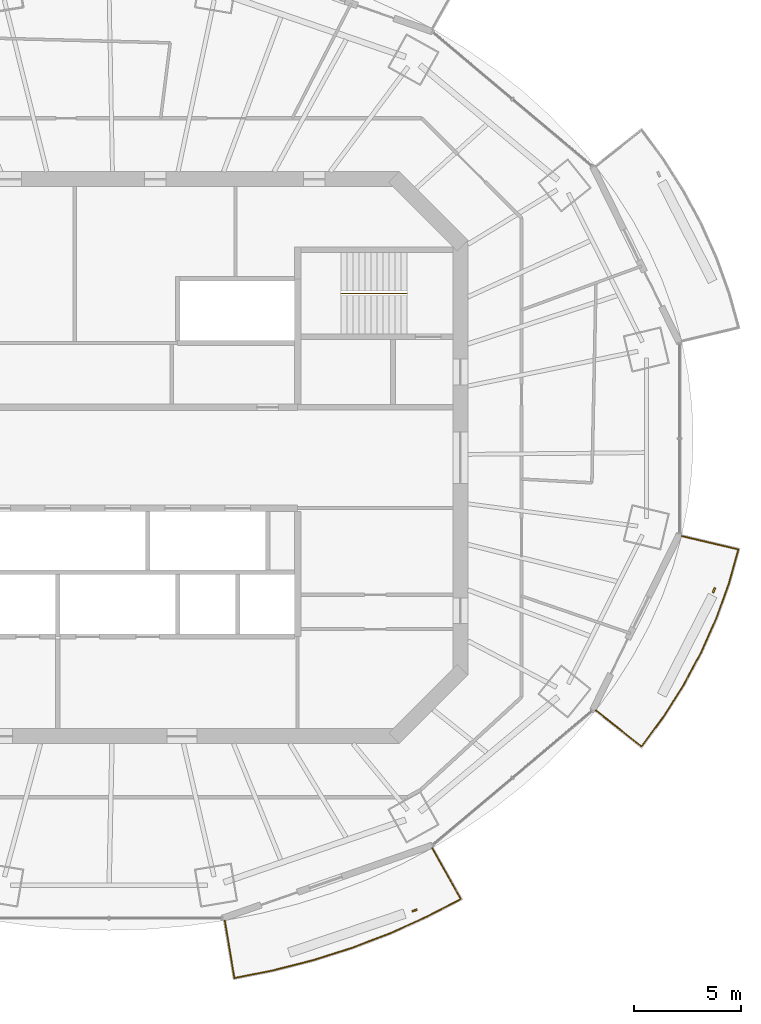
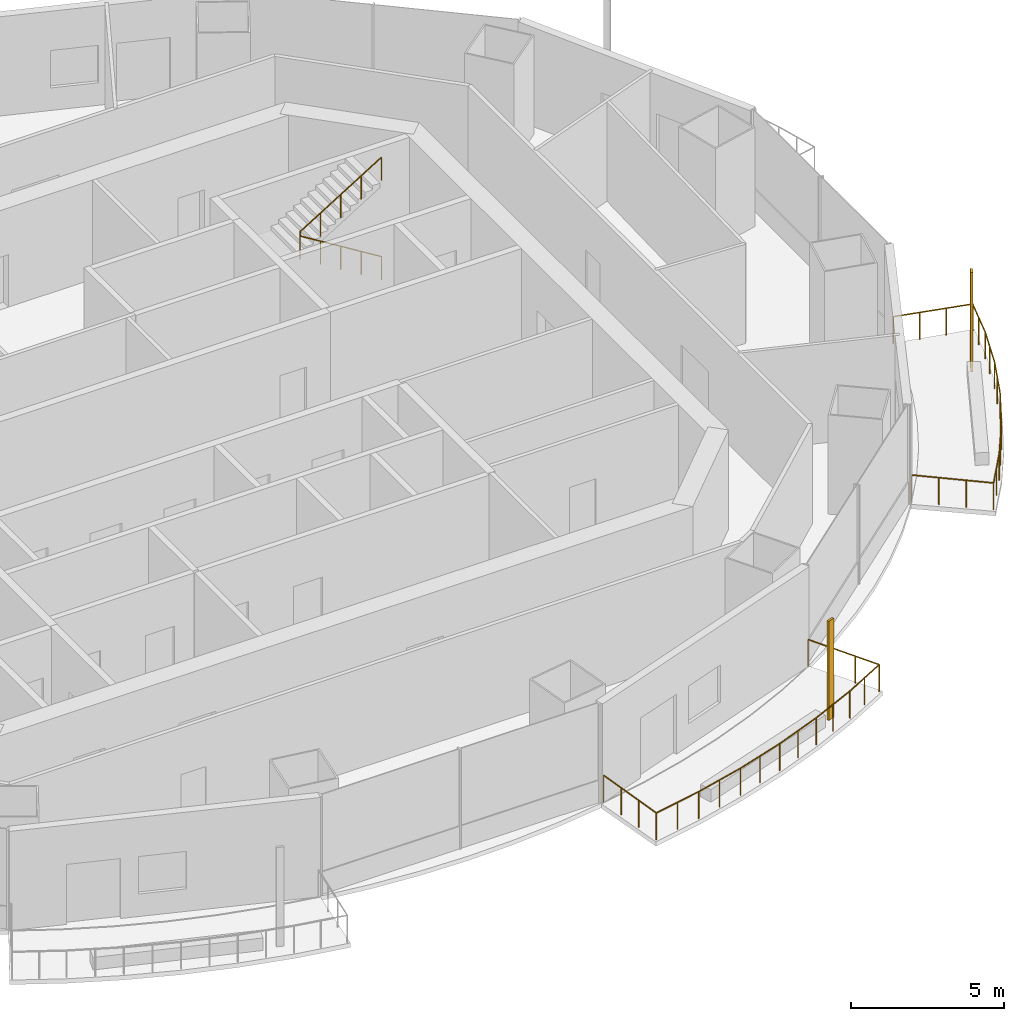
# One storey, part 13 of 16: 3 railings, 2 shading devices.
"""IFC4 building model written with IfcOpenShell, lengths in metres."""

from ifc_helpers import new_model, si_unit, direction, frame, origin, origin_2d, place, context, subcontext, project, spatial, rectangle, circle, extrude, material, material_profile, profile_set, type_object, element, save


model = new_model("IFC4")

# Units and contexts
model_context = context("Model", 3, precision=1e-05, world=origin(), true_north=direction((0.0, 1.0)))
body_context = subcontext(model_context, "Body", "Model", "MODEL_VIEW")
ifc_project = project(units=[si_unit("LENGTHUNIT", "METRE"), si_unit("AREAUNIT", "SQUARE_METRE"), si_unit("VOLUMEUNIT", "CUBIC_METRE"), si_unit("PLANEANGLEUNIT", "RADIAN"), si_unit("MASSUNIT", "GRAM", prefix="KILO")], contexts=[model_context])

# Site, building, storey
site_placement = place(None, origin())
site = spatial("IfcSite", under=ifc_project, at=site_placement, CompositionType="ELEMENT")
building_placement = place(site_placement, origin())
building = spatial("IfcBuilding", under=site, at=building_placement, Name="Marenthal Gate Tower", CompositionType="ELEMENT")
storey_placement = place(building_placement, frame((0.0, 0.0, 334.300048828125)))
storey = spatial("IfcBuildingStorey", under=building, at=storey_placement, Name="L75", CompositionType="ELEMENT", Elevation=334.300048828125)

# Railings
ifc_material_1 = material(Name="Stainless steel", Category="steel")
railing_type_1 = type_object("IfcRailingType", Name="Balcony guard 1100", PredefinedType="GUARDRAIL", material=ifc_material_1)
railing_1_placement = place(storey_placement, frame((14.68017578125, -18.2314453125, 0.0)))
element("IfcRailing", 1, at=railing_1_placement, inside=storey, type_object=railing_type_1, Name="Balcony guard L75 bay 13", PredefinedType="GUARDRAIL", context=body_context, shape_type="SweptSolid", body=[
    extrude(circle(Radius=0.02392578125, at=origin_2d()), frame((0.0, 0.0, 1.076171875), z_axis=(0.490672529522, -0.87121972637, -0.014719278369), x_axis=(0.871314119703, 0.490725692018, 0.0)), (0.0, 0.0, 1.0), 2.72021484375),
    extrude(circle(Radius=0.02392578125, at=origin_2d()), frame((1.334716796875, -2.369873046875, 1.0361328125), z_axis=(-0.886478038646, -0.462770663503, 0.0), x_axis=(0.462770663503, -0.886478038646, 0.0)), (0.0, 0.0, 1.0), 1.793701171875),
    extrude(circle(Radius=0.02392578125, at=origin_2d()), frame((-0.25537109375, -3.199951171875, 1.0361328125), z_axis=(-0.91188517307, -0.410445405792, 0.0), x_axis=(0.410445405792, -0.91188517307, 0.0)), (0.0, 0.0, 1.0), 1.88623046875),
    extrude(circle(Radius=0.02392578125, at=origin_2d()), frame((-1.975341796875, -3.97412109375, 1.0361328125), z_axis=(-0.934293977025, -0.356503526623, 0.0), x_axis=(0.356503526623, -0.934293977025, 0.0)), (0.0, 0.0, 1.0), 1.897705078125),
    extrude(circle(Radius=0.02392578125, at=origin_2d()), frame((-3.748291015625, -4.650634765625, 1.0361328125), z_axis=(-0.953251321023, -0.302178620963, 0.0), x_axis=(0.302178620963, -0.953251321023, 0.0)), (0.0, 0.0, 1.0), 1.907470703125),
    extrude(circle(Radius=0.02392578125, at=origin_2d()), frame((-5.566650390625, -5.22705078125, 1.0361328125), z_axis=(-0.968878064997, -0.247538472096, 0.0), x_axis=(0.247538472096, -0.968878064997, 0.0)), (0.0, 0.0, 1.0), 1.916259765625),
    extrude(circle(Radius=0.02392578125, at=origin_2d()), frame((-7.42333984375, -5.701416015625, 1.0361328125), z_axis=(-0.9810465399, -0.193772254337, 0.0), x_axis=(0.193772254337, -0.9810465399, 0.0)), (0.0, 0.0, 1.0), 1.84326171875),
    extrude(circle(Radius=0.02392578125, at=origin_2d()), frame((-9.231689453125, -6.05859375, 1.0361328125), z_axis=(-0.165327157968, 0.986128927578, 0.014719681817), x_axis=(-0.986235776742, -0.165345071517, 0.0)), (0.0, 0.0, 1.0), 2.72021484375),
    extrude(circle(Radius=0.02099609375, at=origin_2d()), origin(), (0.0, 0.0, 1.0), 1.052001953125),
    extrude(circle(Radius=0.02099609375, at=origin_2d()), frame((0.44482421875, -0.7900390625, -0.013427734375)), (0.0, 0.0, 1.0), 1.052001953125),
    extrude(circle(Radius=0.02099609375, at=origin_2d()), frame((0.889892578125, -1.579833984375, -0.026611328125)), (0.0, 0.0, 1.0), 1.052001953125),
    extrude(circle(Radius=0.02099609375, at=origin_2d()), frame((1.334716796875, -2.369873046875, -0.0400390625)), (0.0, 0.0, 1.0), 1.052001953125),
    extrude(circle(Radius=0.02099609375, at=origin_2d()), frame((0.53955078125, -2.784912109375, -0.0400390625)), (0.0, 0.0, 1.0), 1.052001953125),
    extrude(circle(Radius=0.02099609375, at=origin_2d()), frame((-0.25537109375, -3.199951171875, -0.0400390625)), (0.0, 0.0, 1.0), 1.052001953125),
    extrude(circle(Radius=0.02099609375, at=origin_2d()), frame((-1.115234375, -3.5869140625, -0.0400390625)), (0.0, 0.0, 1.0), 1.052001953125),
    extrude(circle(Radius=0.02099609375, at=origin_2d()), frame((-1.975341796875, -3.97412109375, -0.0400390625)), (0.0, 0.0, 1.0), 1.052001953125),
    extrude(circle(Radius=0.02099609375, at=origin_2d()), frame((-2.86181640625, -4.3125, -0.0400390625)), (0.0, 0.0, 1.0), 1.052001953125),
    extrude(circle(Radius=0.02099609375, at=origin_2d()), frame((-3.748291015625, -4.650634765625, -0.0400390625)), (0.0, 0.0, 1.0), 1.052001953125),
    extrude(circle(Radius=0.02099609375, at=origin_2d()), frame((-4.657470703125, -4.93896484375, -0.0400390625)), (0.0, 0.0, 1.0), 1.052001953125),
    extrude(circle(Radius=0.02099609375, at=origin_2d()), frame((-5.566650390625, -5.22705078125, -0.0400390625)), (0.0, 0.0, 1.0), 1.052001953125),
    extrude(circle(Radius=0.02099609375, at=origin_2d()), frame((-6.4951171875, -5.46435546875, -0.0400390625)), (0.0, 0.0, 1.0), 1.052001953125),
    extrude(circle(Radius=0.02099609375, at=origin_2d()), frame((-7.42333984375, -5.701416015625, -0.0400390625)), (0.0, 0.0, 1.0), 1.052001953125),
    extrude(circle(Radius=0.02099609375, at=origin_2d()), frame((-8.32763671875, -5.8798828125, -0.0400390625)), (0.0, 0.0, 1.0), 1.052001953125),
    extrude(circle(Radius=0.02099609375, at=origin_2d()), frame((-9.231689453125, -6.05859375, -0.0400390625)), (0.0, 0.0, 1.0), 1.052001953125),
    extrude(circle(Radius=0.02099609375, at=origin_2d()), frame((-9.381591796875, -5.16455078125, -0.026611328125)), (0.0, 0.0, 1.0), 1.052001953125),
    extrude(circle(Radius=0.02099609375, at=origin_2d()), frame((-9.531494140625, -4.270263671875, -0.013427734375)), (0.0, 0.0, 1.0), 1.052001953125),
    extrude(circle(Radius=0.02099609375, at=origin_2d()), frame((-9.681396484375, -3.376220703125, 0.0)), (0.0, 0.0, 1.0), 1.052001953125),
])
railing_2_placement = place(storey_placement, frame((26.32666015625, -3.657470703125, 0.0)))
element("IfcRailing", 2, at=railing_2_placement, inside=storey, type_object=railing_type_1, Name="Balcony guard L75 bay 15", PredefinedType="GUARDRAIL", context=body_context, shape_type="SweptSolid", body=[
    extrude(circle(Radius=0.02392578125, at=origin_2d()), frame((0.0, 0.0, 1.076171875), z_axis=(0.97315730439, -0.229669790827, -0.014718970573), x_axis=(0.229694673631, 0.973262737859, 0.0)), (0.0, 0.0, 1.0), 2.72021484375),
    extrude(circle(Radius=0.02392578125, at=origin_2d()), frame((2.647216796875, -0.624755859375, 1.0361328125), z_axis=(-0.268600452735, -0.963251678841, 0.0), x_axis=(0.963251678841, -0.268600452735, 0.0)), (0.0, 0.0, 1.0), 1.645263671875),
    extrude(circle(Radius=0.02392578125, at=origin_2d()), frame((2.205322265625, -2.20947265625, 1.0361328125), z_axis=(-0.338924060667, -0.940813733478, 0.0), x_axis=(0.940813733478, -0.338924060667, 0.0)), (0.0, 0.0, 1.0), 1.732421875),
    extrude(circle(Radius=0.02392578125, at=origin_2d()), frame((1.6181640625, -3.83935546875, 1.0361328125), z_axis=(-0.40786794588, -0.91304092938, 0.0), x_axis=(0.91304092938, -0.40786794588, 0.0)), (0.0, 0.0, 1.0), 1.7412109375),
    extrude(circle(Radius=0.02392578125, at=origin_2d()), frame((0.907958984375, -5.42919921875, 1.0361328125), z_axis=(-0.473825554, -0.880618728155, 0.0), x_axis=(0.880618728155, -0.473825554, 0.0)), (0.0, 0.0, 1.0), 1.751953125),
    extrude(circle(Radius=0.02392578125, at=origin_2d()), frame((0.077880859375, -6.971923828125, 1.0361328125), z_axis=(-0.53589847601, -0.844282431068, 0.0), x_axis=(0.844282431068, -0.53589847601, 0.0)), (0.0, 0.0, 1.0), 1.76318359375),
    extrude(circle(Radius=0.02392578125, at=origin_2d()), frame((-0.866943359375, -8.46044921875, 1.0361328125), z_axis=(-0.592673479354, -0.805442826569, 0.0), x_axis=(0.805442826569, -0.592673479354, 0.0)), (0.0, 0.0, 1.0), 1.69580078125),
    extrude(circle(Radius=0.02392578125, at=origin_2d()), frame((-1.8720703125, -9.826416015625, 1.0361328125), z_axis=(-0.783613159988, 0.621074684128, 0.014719111011), x_axis=(-0.621141973669, -0.783698059553, 0.0)), (0.0, 0.0, 1.0), 2.72021484375),
    extrude(circle(Radius=0.02099609375, at=origin_2d()), origin(), (0.0, 0.0, 1.0), 1.052001953125),
    extrude(circle(Radius=0.02099609375, at=origin_2d()), frame((0.88232421875, -0.208251953125, -0.013427734375)), (0.0, 0.0, 1.0), 1.052001953125),
    extrude(circle(Radius=0.02099609375, at=origin_2d()), frame((1.764892578125, -0.41650390625, -0.026611328125)), (0.0, 0.0, 1.0), 1.052001953125),
    extrude(circle(Radius=0.02099609375, at=origin_2d()), frame((2.647216796875, -0.624755859375, -0.0400390625)), (0.0, 0.0, 1.0), 1.052001953125),
    extrude(circle(Radius=0.02099609375, at=origin_2d()), frame((2.42626953125, -1.4169921875, -0.0400390625)), (0.0, 0.0, 1.0), 1.052001953125),
    extrude(circle(Radius=0.02099609375, at=origin_2d()), frame((2.205322265625, -2.20947265625, -0.0400390625)), (0.0, 0.0, 1.0), 1.052001953125),
    extrude(circle(Radius=0.02099609375, at=origin_2d()), frame((1.91162109375, -3.0244140625, -0.0400390625)), (0.0, 0.0, 1.0), 1.052001953125),
    extrude(circle(Radius=0.02099609375, at=origin_2d()), frame((1.6181640625, -3.83935546875, -0.0400390625)), (0.0, 0.0, 1.0), 1.052001953125),
    extrude(circle(Radius=0.02099609375, at=origin_2d()), frame((1.26318359375, -4.63427734375, -0.0400390625)), (0.0, 0.0, 1.0), 1.052001953125),
    extrude(circle(Radius=0.02099609375, at=origin_2d()), frame((0.907958984375, -5.42919921875, -0.0400390625)), (0.0, 0.0, 1.0), 1.052001953125),
    extrude(circle(Radius=0.02099609375, at=origin_2d()), frame((0.492919921875, -6.20068359375, -0.0400390625)), (0.0, 0.0, 1.0), 1.052001953125),
    extrude(circle(Radius=0.02099609375, at=origin_2d()), frame((0.077880859375, -6.971923828125, -0.0400390625)), (0.0, 0.0, 1.0), 1.052001953125),
    extrude(circle(Radius=0.02099609375, at=origin_2d()), frame((-0.39453125, -7.71630859375, -0.0400390625)), (0.0, 0.0, 1.0), 1.052001953125),
    extrude(circle(Radius=0.02099609375, at=origin_2d()), frame((-0.866943359375, -8.46044921875, -0.0400390625)), (0.0, 0.0, 1.0), 1.052001953125),
    extrude(circle(Radius=0.02099609375, at=origin_2d()), frame((-1.36962890625, -9.1435546875, -0.0400390625)), (0.0, 0.0, 1.0), 1.052001953125),
    extrude(circle(Radius=0.02099609375, at=origin_2d()), frame((-1.8720703125, -9.826416015625, -0.0400390625)), (0.0, 0.0, 1.0), 1.052001953125),
    extrude(circle(Radius=0.02099609375, at=origin_2d()), frame((-2.58251953125, -9.26318359375, -0.026611328125)), (0.0, 0.0, 1.0), 1.052001953125),
    extrude(circle(Radius=0.02099609375, at=origin_2d()), frame((-3.293212890625, -8.7001953125, -0.013427734375)), (0.0, 0.0, 1.0), 1.052001953125),
    extrude(circle(Radius=0.02099609375, at=origin_2d()), frame((-4.003662109375, -8.136962890625, 0.0)), (0.0, 0.0, 1.0), 1.052001953125),
])
ifc_material_2 = material(Name="Stainless steel", Category="steel")
railing_type_2 = type_object("IfcRailingType", Name="Stair handrail", PredefinedType="HANDRAIL", material=ifc_material_2)
railing_3_placement = place(storey_placement, frame((13.5, 7.675048828125, 0.1728515625)))
element("IfcRailing", 3, at=railing_3_placement, inside=storey, type_object=railing_type_2, Name="Handrail ST3", PredefinedType="HANDRAIL", context=body_context, shape_type="SweptSolid", body=[
    extrude(circle(Radius=0.0224609375, at=origin_2d()), frame((0.0, 0.0, 0.927490234375), z_axis=(-0.850835241893, 0.0, 0.525432575268), x_axis=(0.0, -1.0, 0.0)), (0.0, 0.0, 1.0), 3.6201171875),
    extrude(circle(Radius=0.0224609375, at=origin_2d()), frame((-3.080078125, 0.0, 2.82958984375), z_axis=(0.0, 0.0, 1.0), x_axis=(1.0, 0.0, 0.0)), (0.0, 0.0, 1.0), 0.1728515625),
    extrude(circle(Radius=0.0224609375, at=origin_2d()), frame((-3.080078125, 0.0, 3.00244140625), z_axis=(0.850835241893, 0.0, 0.525432575268), x_axis=(0.0, 1.0, 0.0)), (0.0, 0.0, 1.0), 3.6201171875),
    extrude(circle(Radius=0.02001953125, at=origin_2d()), origin(), (0.0, 0.0, 1.0), 0.905029296875),
    extrude(circle(Radius=0.02001953125, at=origin_2d()), frame((-0.77001953125, 0.0, 0.4755859375)), (0.0, 0.0, 1.0), 0.905029296875),
    extrude(circle(Radius=0.02001953125, at=origin_2d()), frame((-1.5400390625, 0.0, 0.951171875)), (0.0, 0.0, 1.0), 0.905029296875),
    extrude(circle(Radius=0.02001953125, at=origin_2d()), frame((-2.31005859375, 0.0, 1.426513671875)), (0.0, 0.0, 1.0), 0.905029296875),
    extrude(circle(Radius=0.02001953125, at=origin_2d()), frame((-3.080078125, 0.0, 1.902099609375)), (0.0, 0.0, 1.0), 0.905029296875),
    extrude(circle(Radius=0.02001953125, at=origin_2d()), frame((-3.080078125, 0.0, 2.074951171875)), (0.0, 0.0, 1.0), 0.905029296875),
    extrude(circle(Radius=0.02001953125, at=origin_2d()), frame((-2.31005859375, 0.0, 2.550537109375)), (0.0, 0.0, 1.0), 0.905029296875),
    extrude(circle(Radius=0.02001953125, at=origin_2d()), frame((-1.5400390625, 0.0, 3.02587890625)), (0.0, 0.0, 1.0), 0.905029296875),
    extrude(circle(Radius=0.02001953125, at=origin_2d()), frame((-0.77001953125, 0.0, 3.50146484375)), (0.0, 0.0, 1.0), 0.905029296875),
    extrude(circle(Radius=0.02001953125, at=origin_2d()), frame((0.0, 0.0, 3.97705078125)), (0.0, 0.0, 1.0), 0.905029296875),
])

# Shading devices
ifc_material_3 = material(Name="Terracotta", Category="masonry")
ifc_material_profile = material_profile(ifc_material_3, rectangle(XDim=0.25, YDim=0.080078125, at=origin_2d()), Name="Terracotta baguette 250x80")
ifc_profile_set = profile_set([ifc_material_profile], Name="Terracotta")
shading_device_type = type_object("IfcShadingDeviceType", Name="Terracotta BAGUETTE SCREEN 250x80", PredefinedType="USERDEFINED", material=ifc_profile_set)
for number, where, z_axis, x_axis, name in (
    (4, (13.859130859375, -21.135498046875, -0.0400390625), (0.0, 0.0, 1.0), (0.944185799872, 0.329413380602, 0.0), "Terracotta BAGUETTE L75 bay 13R"),
    (5, (27.8369140625, -6.188720703125, -0.0400390625), (0.0, 0.0, 1.0), (0.441297921184, 0.897360654787, 0.0), "Terracotta BAGUETTE L75 bay 15R"),
):
    element("IfcShadingDevice", number, at=place(storey_placement, frame(where, z_axis=z_axis, x_axis=x_axis)), inside=storey, type_object=shading_device_type, Name=name, ObjectType="BAGUETTE SCREEN", PredefinedType="USERDEFINED", context=body_context, shape_type="SweptSolid", body=[
        extrude(rectangle(XDim=0.25, YDim=0.080078125, at=origin_2d()), origin(), (0.0, 0.0, 1.0), 3.969970703125),
    ])

save(model, "model.ifc")
